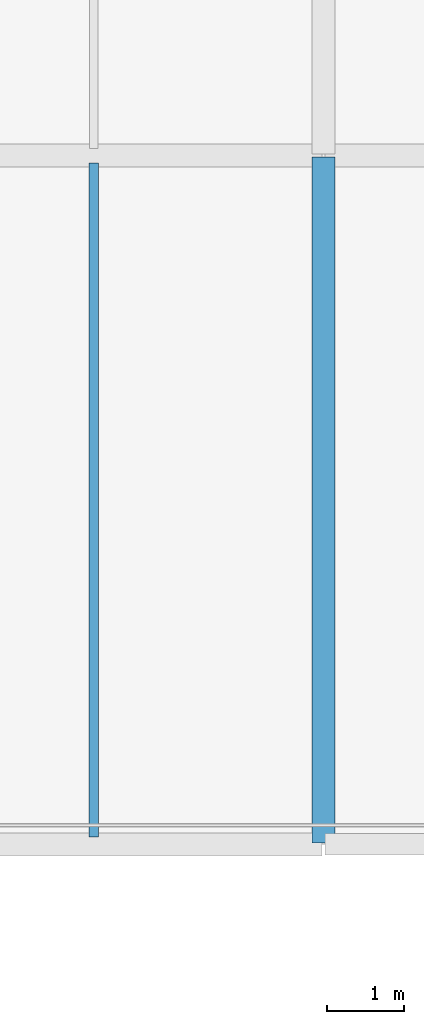
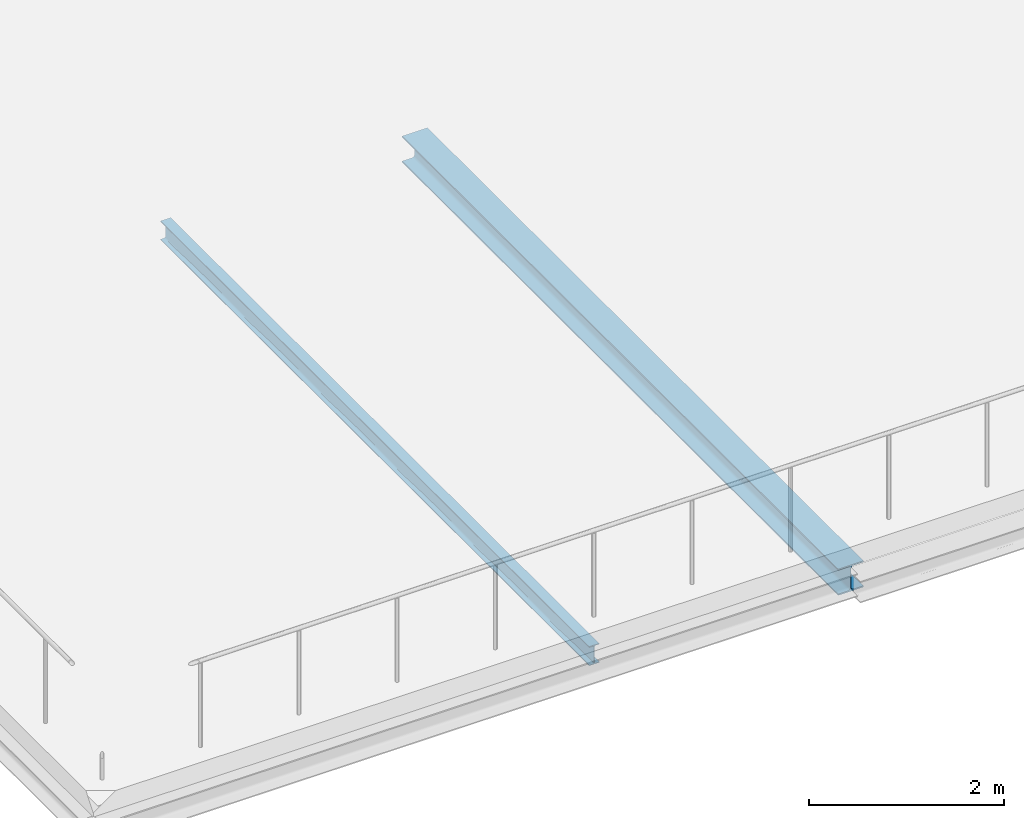
# One storey, part 14 of 58: 2 beams.
"""IFC4 building model written with IfcOpenShell, lengths in metres."""

from ifc_helpers import new_model, si_unit, direction, frame, origin, origin_2d, place, context, subcontext, project, spatial, i_section, extrude, material, material_profile, profile_set, type_object, element, save


model = new_model("IFC4")

# Units and contexts
model_context = context("Model", 3, precision=1e-05, world=origin(), true_north=direction((0.0, 1.0)))
body_context = subcontext(model_context, "Body", "Model", "MODEL_VIEW")
ifc_project = project(units=[si_unit("LENGTHUNIT", "METRE"), si_unit("AREAUNIT", "SQUARE_METRE"), si_unit("VOLUMEUNIT", "CUBIC_METRE"), si_unit("PLANEANGLEUNIT", "RADIAN"), si_unit("MASSUNIT", "GRAM", prefix="KILO")], contexts=[model_context])

# Site, building, storey
site_placement = place(None, origin())
site = spatial("IfcSite", under=ifc_project, at=site_placement, CompositionType="ELEMENT")
building_placement = place(site_placement, origin())
building = spatial("IfcBuilding", under=site, at=building_placement, Name="Barlavento Convention Centre", CompositionType="ELEMENT")
storey_placement = place(building_placement, frame((0.0, 0.0, 26.800048828125)))
storey = spatial("IfcBuildingStorey", under=building, at=storey_placement, Name="L05", CompositionType="ELEMENT", Elevation=26.800048828125)

# Beams
ifc_material = material(Name="Steel S355", Category="steel")
ifc_material_profile_1 = material_profile(ifc_material, i_section(OverallWidth=0.1201171875, OverallDepth=0.239990234375, WebThickness=0.006103515625, FlangeThickness=0.009765625, FilletRadius=0.014892578125, at=origin_2d()), Name="IPE 240")
ifc_profile_set_1 = profile_set([ifc_material_profile_1], Name="Steel S355")
beam_type_1 = type_object("IfcBeamType", Name="STR-BM-JST-IPE240", PredefinedType="JOIST", material=ifc_profile_set_1)
beam_1_placement = place(storey_placement, frame((159.0, 36.094970703125, -0.360107421875), z_axis=(0.0, 1.0, 0.0), x_axis=(-1.0, 0.0, 0.0)))
element("IfcBeam", 1, at=beam_1_placement, inside=storey, type_object=beam_type_1, Name="L05 composite floor joist SJ09", PredefinedType="JOIST", context=body_context, shape_type="SweptSolid", body=[
    extrude(i_section(OverallWidth=0.1201171875, OverallDepth=0.239990234375, WebThickness=0.006103515625, FlangeThickness=0.009765625, FilletRadius=0.014892578125, at=origin_2d()), origin(), (0.0, 0.0, 1.0), 8.81005859375),
])
ifc_material_profile_2 = material_profile(ifc_material, i_section(OverallWidth=0.300048828125, OverallDepth=0.330078125, WebThickness=0.009521484375, FlangeThickness=0.0166015625, FilletRadius=0.027099609375, at=origin_2d()), Name="HEA 340")
ifc_profile_set_2 = profile_set([ifc_material_profile_2], Name="Steel S355")
beam_type_2 = type_object("IfcBeamType", Name="STR-BM-PRI-HEA340", PredefinedType="BEAM", material=ifc_profile_set_2)
beam_2_placement = place(storey_placement, frame((162.0, 36.02001953125, -0.405029296875), z_axis=(0.0, 1.0, 0.0), x_axis=(-1.0, 0.0, 0.0)))
element("IfcBeam", 2, at=beam_2_placement, inside=storey, type_object=beam_type_2, Name="L05 grid girder BG24", PredefinedType="BEAM", context=body_context, shape_type="SweptSolid", body=[
    extrude(i_section(OverallWidth=0.300048828125, OverallDepth=0.330078125, WebThickness=0.009521484375, FlangeThickness=0.0166015625, FilletRadius=0.027099609375, at=origin_2d()), origin(), (0.0, 0.0, 1.0), 8.9599609375),
])

save(model, "model.ifc")
